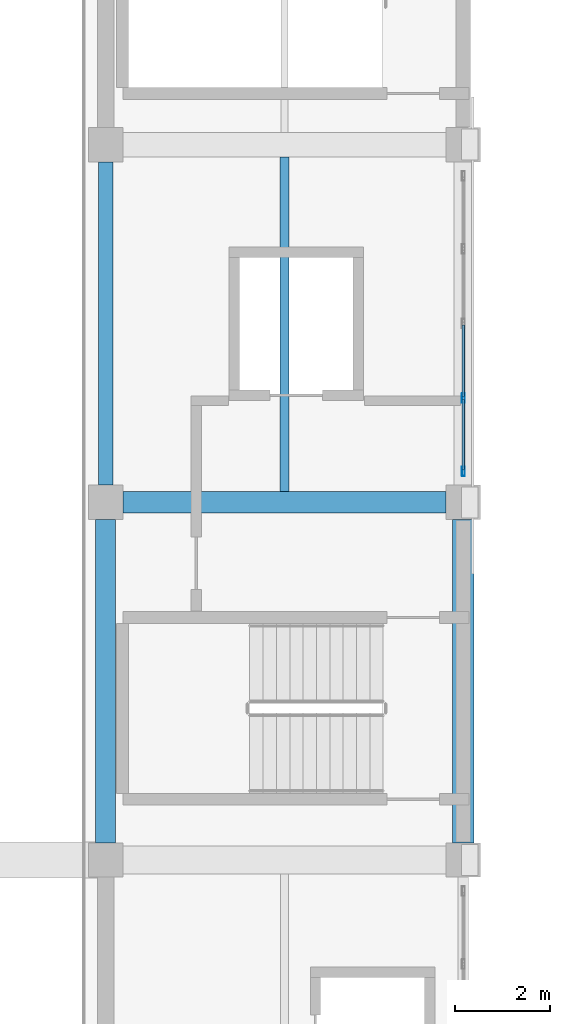
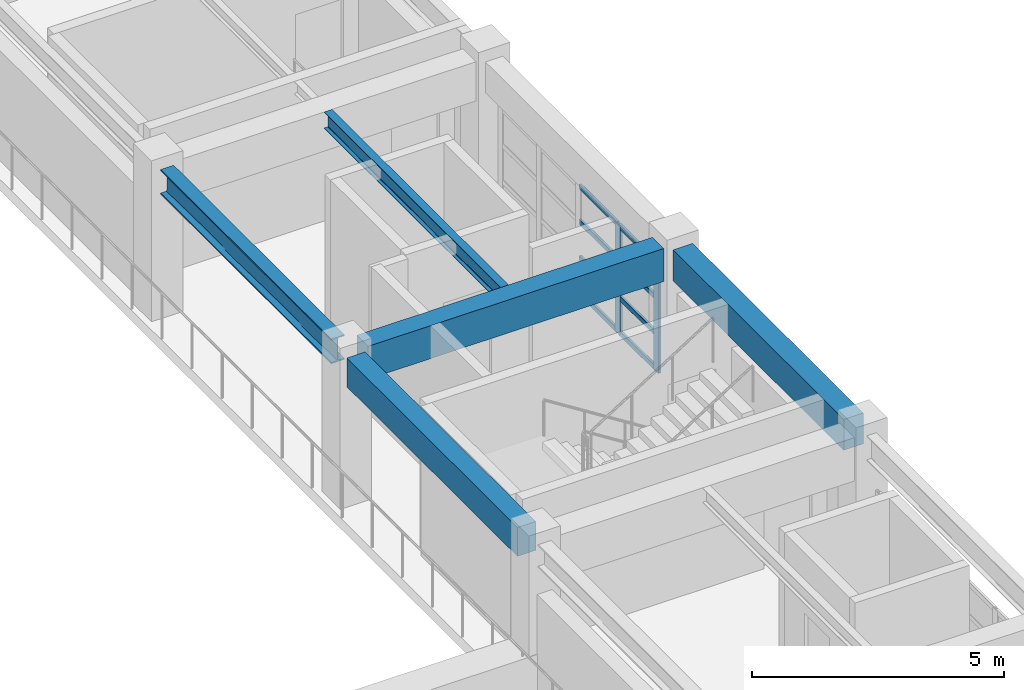
# One storey, part 49 of 101: 10 members, 5 beams, 1 element without a shape of its own.
"""IFC4 building model written with IfcOpenShell, lengths in metres."""

from ifc_helpers import new_model, si_unit, direction, frame, origin, origin_2d, place, context, subcontext, project, spatial, rectangle, hollow_rectangle, i_section, extrude, material, material_profile, profile_set, type_object, element, aggregate, save


model = new_model("IFC4")

# Units and contexts
model_context = context("Model", 3, precision=1e-05, world=origin(), true_north=direction((0.0, 1.0)))
body_context = subcontext(model_context, "Body", "Model", "MODEL_VIEW")
ifc_project = project(units=[si_unit("LENGTHUNIT", "METRE"), si_unit("AREAUNIT", "SQUARE_METRE"), si_unit("VOLUMEUNIT", "CUBIC_METRE"), si_unit("PLANEANGLEUNIT", "RADIAN"), si_unit("MASSUNIT", "GRAM", prefix="KILO")], contexts=[model_context])

# Site, building, storey
site_placement = place(None, origin())
site = spatial("IfcSite", under=ifc_project, at=site_placement, CompositionType="ELEMENT")
building_placement = place(site_placement, origin())
building = spatial("IfcBuilding", under=site, at=building_placement, Name="Qasida Concert Hall", CompositionType="ELEMENT")
storey_placement = place(building_placement, frame((0.0, 0.0, 13.199951171875)))
storey = spatial("IfcBuildingStorey", under=building, at=storey_placement, Name="L03", CompositionType="ELEMENT", Elevation=13.199951171875)

# Beams
ifc_material_1 = material(Name="Concrete C40/50", Category="concrete")
ifc_material_profile_1 = material_profile(ifc_material_1, rectangle(XDim=0.419921875, YDim=0.699951171875, at=origin_2d()), Name="RC 420x700")
ifc_profile_set_1 = profile_set([ifc_material_profile_1], Name="Concrete C40/50")
beam_type_1 = type_object("IfcBeamType", Name="BM-B11", PredefinedType="BEAM", material=ifc_profile_set_1)
beam_1_placement = place(storey_placement, frame((97.5, 45.360107421875, 3.27001953125), z_axis=(0.0, 1.0, 0.0), x_axis=(-1.0, 0.0, 0.0)))
element("IfcBeam", 1, at=beam_1_placement, inside=storey, type_object=beam_type_1, Name="L03 girder 1563", PredefinedType="BEAM", context=body_context, shape_type="SweptSolid", body=[
    extrude(rectangle(XDim=0.419921875, YDim=0.699951171875, at=origin_2d()), origin(), (0.0, 0.0, 1.0), 6.77978515625),
])
ifc_material_2 = material(Name="Steel S355J2", Category="steel")
ifc_material_profile_2 = material_profile(ifc_material_2, i_section(OverallWidth=0.300048828125, OverallDepth=0.60009765625, WebThickness=0.015380859375, FlangeThickness=0.030029296875, FilletRadius=0.027099609375, at=origin_2d()), Name="HEB 600")
ifc_profile_set_2 = profile_set([ifc_material_profile_2], Name="Steel S355J2")
beam_type_2 = type_object("IfcBeamType", Name="BM-B6", PredefinedType="BEAM", material=ifc_profile_set_2)
beam_2_placement = place(storey_placement, frame((97.5, 52.860107421875, 3.320068359375), z_axis=(0.0, 1.0, 0.0), x_axis=(-1.0, 0.0, 0.0)))
element("IfcBeam", 2, at=beam_2_placement, inside=storey, type_object=beam_type_2, Name="L03 girder 1564", PredefinedType="BEAM", context=body_context, shape_type="SweptSolid", body=[
    extrude(i_section(OverallWidth=0.300048828125, OverallDepth=0.60009765625, WebThickness=0.015380859375, FlangeThickness=0.030029296875, FilletRadius=0.027099609375, at=origin_2d()), origin(), (0.0, 0.0, 1.0), 6.77978515625),
])
ifc_material_profile_3 = material_profile(ifc_material_1, rectangle(XDim=0.449951171875, YDim=0.800048828125, at=origin_2d()), Name="RC 450x800")
ifc_profile_set_3 = profile_set([ifc_material_profile_3], Name="Concrete C40/50")
beam_type_3 = type_object("IfcBeamType", Name="BM-G2", PredefinedType="USERDEFINED", material=ifc_profile_set_3)
beam_3_placement = place(storey_placement, frame((97.860107421875, 52.5, 3.219970703125), z_axis=(1.0, 0.0, 0.0), x_axis=(0.0, 1.0, 0.0)))
element("IfcBeam", 3, at=beam_3_placement, inside=storey, type_object=beam_type_3, Name="Primary girder 1525", ObjectType="GIRDER", PredefinedType="USERDEFINED", context=body_context, shape_type="SweptSolid", body=[
    extrude(rectangle(XDim=0.449951171875, YDim=0.800048828125, at=origin_2d()), origin(), (0.0, 0.0, 1.0), 6.77978515625),
])
ifc_material_profile_4 = material_profile(ifc_material_2, i_section(OverallWidth=0.179931640625, OverallDepth=0.39990234375, WebThickness=0.008544921875, FlangeThickness=0.013427734375, FilletRadius=0.02099609375, at=origin_2d()), Name="IPE 400")
ifc_profile_set_4 = profile_set([ifc_material_profile_4], Name="Steel S355J2")
beam_type_4 = type_object("IfcBeamType", Name="BM-J3", PredefinedType="JOIST", material=ifc_profile_set_4)
beam_4_placement = place(storey_placement, frame((101.25, 52.72509765625, 3.420166015625), z_axis=(0.0, 1.0, 0.0), x_axis=(-1.0, 0.0, 0.0)))
element("IfcBeam", 4, at=beam_4_placement, inside=storey, type_object=beam_type_4, Name="L03 secondary joist 1594", PredefinedType="JOIST", context=body_context, shape_type="SweptSolid", body=[
    extrude(i_section(OverallWidth=0.179931640625, OverallDepth=0.39990234375, WebThickness=0.008544921875, FlangeThickness=0.013427734375, FilletRadius=0.02099609375, at=origin_2d()), origin(), (0.0, 0.0, 1.0), 7.014892578125),
])
ifc_material_profile_5 = material_profile(ifc_material_1, rectangle(XDim=0.449951171875, YDim=0.75, at=origin_2d()), Name="RC 450x750")
ifc_profile_set_5 = profile_set([ifc_material_profile_5], Name="Concrete C40/50")
beam_type_5 = type_object("IfcBeamType", Name="BM-SP4", PredefinedType="SPANDREL", material=ifc_profile_set_5)
beam_5_placement = place(storey_placement, frame((105.0, 45.360107421875, 3.2451171875), z_axis=(0.0, 1.0, 0.0), x_axis=(-1.0, 0.0, 0.0)))
element("IfcBeam", 5, at=beam_5_placement, inside=storey, type_object=beam_type_5, Name="L03 girder 1569", PredefinedType="SPANDREL", context=body_context, shape_type="SweptSolid", body=[
    extrude(rectangle(XDim=0.449951171875, YDim=0.75, at=origin_2d()), origin(), (0.0, 0.0, 1.0), 6.77978515625),
])

# Curtain wall, members
ifc_material_3 = material(Name="Architectural bronze-anodized aluminium and low-E glass", Category="aluminium")
curtain_wall_type = type_object("IfcCurtainWallType", Name="CW-04", PredefinedType="NOTDEFINED", material=ifc_material_3)
curtain_wall_placement = place(storey_placement, origin())
curtain_wall = element("IfcCurtainWall", 6, at=curtain_wall_placement, inside=storey, type_object=curtain_wall_type, Name="L03 curtain wall CW-04 0055", PredefinedType="NOTDEFINED")
ifc_material_4 = material(Name="Architectural bronze-anodized aluminium EN AW-6063", Category="aluminium")
ifc_material_profile_6 = material_profile(ifc_material_4, hollow_rectangle(XDim=0.06494140625, YDim=0.199951171875, WallThickness=0.0048828125, InnerFilletRadius=0.0048828125, OuterFilletRadius=0.010009765625, at=origin_2d()), Name="CWM 200x65x5")
ifc_profile_set_6 = profile_set([ifc_material_profile_6], Name="Architectural bronze-anodized aluminium EN AW-6063")
member_type_1 = type_object("IfcMemberType", Name="MB-CWM-2", PredefinedType="MULLION", material=ifc_profile_set_6)
member_1_placement = place(storey_placement, frame((105.0, 53.152587890625, 0.0), z_axis=(0.0, 0.0, 1.0), x_axis=(-1.0, 0.0, 0.0)))
member_1 = element("IfcMember", 7, at=member_1_placement, type_object=member_type_1, Name="CW-04 mullion 1", PredefinedType="MULLION", context=body_context, shape_type="SweptSolid", body=[
    extrude(hollow_rectangle(XDim=0.06494140625, YDim=0.199951171875, WallThickness=0.0048828125, InnerFilletRadius=0.0048828125, OuterFilletRadius=0.010009765625, at=origin_2d()), origin(), (0.0, 0.0, 1.0), 2.64013671875),
])
member_2_placement = place(storey_placement, frame((105.0, 54.68505859375, 0.0), z_axis=(0.0, 0.0, 1.0), x_axis=(-1.0, 0.0, 0.0)))
member_2 = element("IfcMember", 8, at=member_2_placement, type_object=member_type_1, Name="CW-04 mullion 2", PredefinedType="MULLION", context=body_context, shape_type="SweptSolid", body=[
    extrude(hollow_rectangle(XDim=0.06494140625, YDim=0.199951171875, WallThickness=0.0048828125, InnerFilletRadius=0.0048828125, OuterFilletRadius=0.010009765625, at=origin_2d()), origin(), (0.0, 0.0, 1.0), 2.64013671875),
])
ifc_material_profile_7 = material_profile(ifc_material_4, hollow_rectangle(XDim=0.06005859375, YDim=0.1201171875, WallThickness=0.00390625, InnerFilletRadius=0.00390625, OuterFilletRadius=0.008056640625, at=origin_2d()), Name="CWT 120x60x4")
ifc_profile_set_7 = profile_set([ifc_material_profile_7], Name="Architectural bronze-anodized aluminium EN AW-6063")
member_type_2 = type_object("IfcMemberType", Name="MB-CWT-2", PredefinedType="USERDEFINED", material=ifc_profile_set_7)
member_3_placement = place(storey_placement, frame((105.0, 53.18505859375, 0.030029296875), z_axis=(0.0, 1.0, 0.0), x_axis=(-1.0, 0.0, 0.0)))
member_3 = element("IfcMember", 9, at=member_3_placement, type_object=member_type_2, Name="CW-04 transom 1.1", ObjectType="TRANSOM", PredefinedType="USERDEFINED", context=body_context, shape_type="SweptSolid", body=[
    extrude(hollow_rectangle(XDim=0.06005859375, YDim=0.1201171875, WallThickness=0.00390625, InnerFilletRadius=0.00390625, OuterFilletRadius=0.008056640625, at=origin_2d()), origin(), (0.0, 0.0, 1.0), 1.467529296875),
])
member_4_placement = place(storey_placement, frame((105.0, 53.18505859375, 0.880126953125), z_axis=(0.0, 1.0, 0.0), x_axis=(-1.0, 0.0, 0.0)))
member_4 = element("IfcMember", 10, at=member_4_placement, type_object=member_type_2, Name="CW-04 transom 1.2", ObjectType="TRANSOM", PredefinedType="USERDEFINED", context=body_context, shape_type="SweptSolid", body=[
    extrude(hollow_rectangle(XDim=0.06005859375, YDim=0.1201171875, WallThickness=0.00390625, InnerFilletRadius=0.00390625, OuterFilletRadius=0.008056640625, at=origin_2d()), origin(), (0.0, 0.0, 1.0), 1.467529296875),
])
member_5_placement = place(storey_placement, frame((105.0, 53.18505859375, 1.760009765625), z_axis=(0.0, 1.0, 0.0), x_axis=(-1.0, 0.0, 0.0)))
member_5 = element("IfcMember", 11, at=member_5_placement, type_object=member_type_2, Name="CW-04 transom 1.3", ObjectType="TRANSOM", PredefinedType="USERDEFINED", context=body_context, shape_type="SweptSolid", body=[
    extrude(hollow_rectangle(XDim=0.06005859375, YDim=0.1201171875, WallThickness=0.00390625, InnerFilletRadius=0.00390625, OuterFilletRadius=0.008056640625, at=origin_2d()), origin(), (0.0, 0.0, 1.0), 1.467529296875),
])
member_6_placement = place(storey_placement, frame((105.0, 53.18505859375, 2.610107421875), z_axis=(0.0, 1.0, 0.0), x_axis=(-1.0, 0.0, 0.0)))
member_6 = element("IfcMember", 12, at=member_6_placement, type_object=member_type_2, Name="CW-04 transom 1.4", ObjectType="TRANSOM", PredefinedType="USERDEFINED", context=body_context, shape_type="SweptSolid", body=[
    extrude(hollow_rectangle(XDim=0.06005859375, YDim=0.1201171875, WallThickness=0.00390625, InnerFilletRadius=0.00390625, OuterFilletRadius=0.008056640625, at=origin_2d()), origin(), (0.0, 0.0, 1.0), 1.467529296875),
])
member_7_placement = place(storey_placement, frame((105.0, 54.717529296875, 0.030029296875), z_axis=(0.0, 1.0, 0.0), x_axis=(-1.0, 0.0, 0.0)))
member_7 = element("IfcMember", 13, at=member_7_placement, type_object=member_type_2, Name="CW-04 transom 2.1", ObjectType="TRANSOM", PredefinedType="USERDEFINED", context=body_context, shape_type="SweptSolid", body=[
    extrude(hollow_rectangle(XDim=0.06005859375, YDim=0.1201171875, WallThickness=0.00390625, InnerFilletRadius=0.00390625, OuterFilletRadius=0.008056640625, at=origin_2d()), origin(), (0.0, 0.0, 1.0), 1.5),
])
member_8_placement = place(storey_placement, frame((105.0, 54.717529296875, 0.880126953125), z_axis=(0.0, 1.0, 0.0), x_axis=(-1.0, 0.0, 0.0)))
member_8 = element("IfcMember", 14, at=member_8_placement, type_object=member_type_2, Name="CW-04 transom 2.2", ObjectType="TRANSOM", PredefinedType="USERDEFINED", context=body_context, shape_type="SweptSolid", body=[
    extrude(hollow_rectangle(XDim=0.06005859375, YDim=0.1201171875, WallThickness=0.00390625, InnerFilletRadius=0.00390625, OuterFilletRadius=0.008056640625, at=origin_2d()), origin(), (0.0, 0.0, 1.0), 1.5),
])
member_9_placement = place(storey_placement, frame((105.0, 54.717529296875, 1.760009765625), z_axis=(0.0, 1.0, 0.0), x_axis=(-1.0, 0.0, 0.0)))
member_9 = element("IfcMember", 15, at=member_9_placement, type_object=member_type_2, Name="CW-04 transom 2.3", ObjectType="TRANSOM", PredefinedType="USERDEFINED", context=body_context, shape_type="SweptSolid", body=[
    extrude(hollow_rectangle(XDim=0.06005859375, YDim=0.1201171875, WallThickness=0.00390625, InnerFilletRadius=0.00390625, OuterFilletRadius=0.008056640625, at=origin_2d()), origin(), (0.0, 0.0, 1.0), 1.5),
])
member_10_placement = place(storey_placement, frame((105.0, 54.717529296875, 2.610107421875), z_axis=(0.0, 1.0, 0.0), x_axis=(-1.0, 0.0, 0.0)))
member_10 = element("IfcMember", 16, at=member_10_placement, type_object=member_type_2, Name="CW-04 transom 2.4", ObjectType="TRANSOM", PredefinedType="USERDEFINED", context=body_context, shape_type="SweptSolid", body=[
    extrude(hollow_rectangle(XDim=0.06005859375, YDim=0.1201171875, WallThickness=0.00390625, InnerFilletRadius=0.00390625, OuterFilletRadius=0.008056640625, at=origin_2d()), origin(), (0.0, 0.0, 1.0), 1.5),
])
aggregate(curtain_wall, [member_1, member_2, member_3, member_4, member_5, member_6, member_7, member_8, member_9, member_10])

save(model, "model.ifc")
